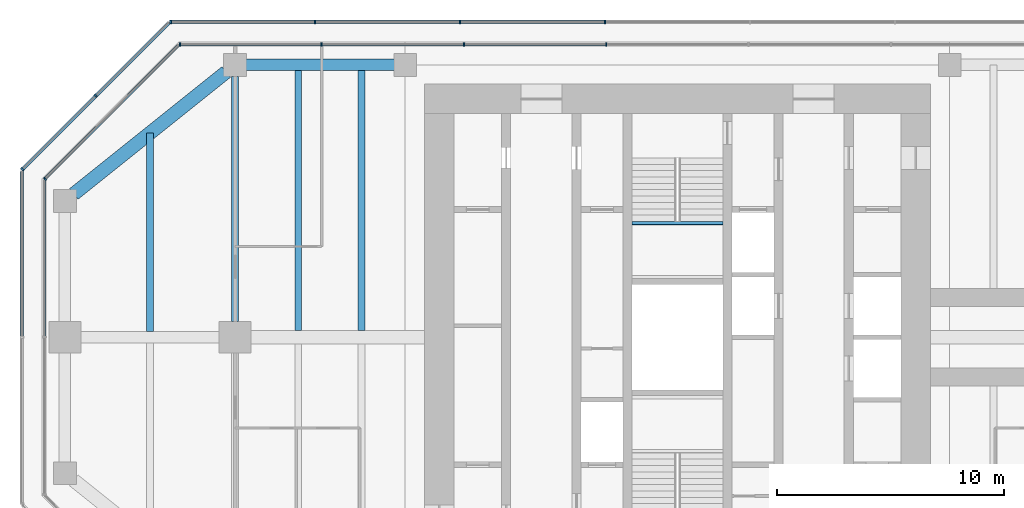
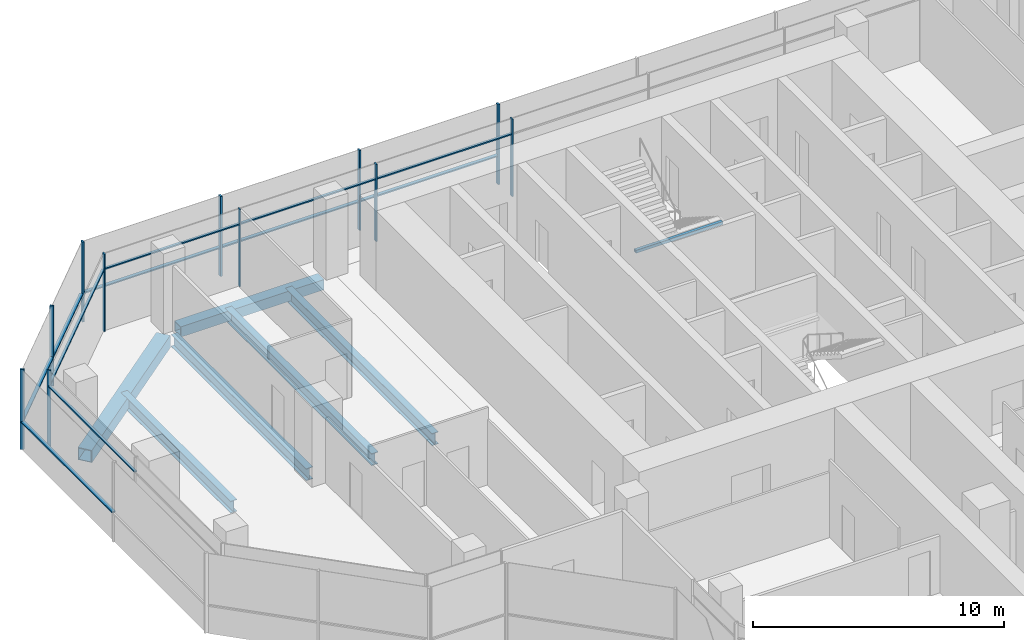
# One storey, part 6 of 16: 22 members, 7 beams, 6 elements without a shape of their own.
"""IFC4 building model written with IfcOpenShell, lengths in metres."""

import ifcopenshell
import ifcopenshell.guid

model = None  # the IFC model being written
_history = None  # IfcOwnerHistory: only IFC2X3 demands one
_inside = {}  # id of a spatial element -> (the spatial element, [elements in it])
_under = {}  # id of a project, library or spatial element -> (it, [spatial elements below it])
_declared = {}  # id of a project -> (the project, [libraries it declares])
_typed = {}  # id of a type object -> (the type object, [elements of that type])
_made_of = {}  # id of a material, layer set ... -> (it, [elements and type objects made of it])


def new_model(schema):
    """Start an empty IFC model of exactly this schema.

    Asked for "IFC4X3", IfcOpenShell would pick the latest addendum, in which some entities
    have other attributes; the version numbers below select the first issue.
    IFC2X3 requires an IfcOwnerHistory on every rooted entity: one is made here for all.
    """
    global model, _history
    if schema == "IFC4X3":
        model = ifcopenshell.file(schema_version=(4, 3, 0, 0))
    else:
        model = ifcopenshell.file(schema=schema)
    _inside.clear()
    _under.clear()
    _declared.clear()
    _typed.clear()
    _made_of.clear()
    _history = None
    if model.schema == "IFC2X3":
        org = make("IfcOrganization", Name="unknown")
        user = make(
            "IfcPersonAndOrganization",
            ThePerson=make("IfcPerson", FamilyName="unknown"),
            TheOrganization=org,
        )
        app = make(
            "IfcApplication",
            ApplicationDeveloper=org,
            Version="unknown",
            ApplicationFullName="unknown",
            ApplicationIdentifier="unknown",
        )
        _history = make(
            "IfcOwnerHistory",
            OwningUser=user,
            OwningApplication=app,
            ChangeAction="ADDED",
            CreationDate=0,
        )
    return model


def make(cls, **values):
    """One entity of the class cls with the attributes given. An attribute that is None is left unset."""
    return model.create_entity(
        cls, **{name: value for name, value in values.items() if value is not None}
    )


def rooted(cls, **values):
    """An entity with a GlobalId (a new one), such as an element, a storey or a relation."""
    return make(cls, GlobalId=ifcopenshell.guid.new(), OwnerHistory=_history, **values)


def si_unit(unit_type, name, prefix=None):
    """IfcSIUnit, for example si_unit("LENGTHUNIT", "METRE", prefix="MILLI")."""
    return make("IfcSIUnit", UnitType=unit_type, Prefix=prefix, Name=name)


def assignment(units):
    """IfcUnitAssignment: the units of a project."""
    return None if units is None else make("IfcUnitAssignment", Units=units)


def point(xyz):
    """IfcCartesianPoint."""
    return None if xyz is None else make("IfcCartesianPoint", Coordinates=xyz)


def direction(xyz):
    """IfcDirection."""
    return None if xyz is None else make("IfcDirection", DirectionRatios=xyz)


def frame(location, z_axis=None, x_axis=None):
    """IfcAxis2Placement3D, a coordinate frame: its origin and axes. An axis left out is left unset."""
    return make(
        "IfcAxis2Placement3D",
        Location=point(location),
        Axis=direction(z_axis),
        RefDirection=direction(x_axis),
    )


def frame_2d(location, x_axis=None):
    """IfcAxis2Placement2D, a coordinate frame in the plane: its origin and x axis."""
    return make(
        "IfcAxis2Placement2D", Location=point(location), RefDirection=direction(x_axis)
    )


def origin():
    """The frame at (0, 0, 0) with its axes left unset."""
    return frame((0.0, 0.0, 0.0))


def origin_2d():
    """The frame at (0, 0) in the plane with its x axis left unset."""
    return frame_2d((0.0, 0.0))


def place(relative_to, where):
    """IfcLocalPlacement: puts the frame where relative to a parent placement (None: the world)."""
    return make(
        "IfcLocalPlacement", PlacementRelTo=relative_to, RelativePlacement=where
    )


def context(
    kind, dimensions, precision=None, world=None, true_north=None, identifier=None
):
    """IfcGeometricRepresentationContext, for example the 3D "Model" context."""
    return make(
        "IfcGeometricRepresentationContext",
        ContextIdentifier=identifier,
        ContextType=kind,
        CoordinateSpaceDimension=dimensions,
        Precision=precision,
        WorldCoordinateSystem=world,
        TrueNorth=true_north,
    )


def subcontext(parent, identifier, kind, view, scale=None):
    """IfcGeometricRepresentationSubContext, for example "Body" below "Model"."""
    return make(
        "IfcGeometricRepresentationSubContext",
        ContextIdentifier=identifier,
        ContextType=kind,
        ParentContext=parent,
        TargetScale=scale,
        TargetView=view,
    )


def project(units=None, contexts=None):
    """IfcProject with its units and contexts."""
    return rooted(
        "IfcProject",
        Name="project",
        RepresentationContexts=contexts,
        UnitsInContext=assignment(units),
    )


def spatial(cls, under=None, at=None, **own):
    """A site, building, storey or space (cls), placed at a placement, below another one or the project."""
    s = rooted(cls, ObjectPlacement=at, **own)
    if under is not None:
        _under.setdefault(under.id(), (under, []))[1].append(s)
    return s


def profile(cls, at=None, kind="AREA", **sizes):
    """A parametric profile (cls). Its sizes go by their IFC names, for example OverallWidth=200.0."""
    return make(cls, ProfileType=kind, Position=at, **sizes)


def rectangle(**sizes):
    """IfcRectangleProfileDef."""
    return profile("IfcRectangleProfileDef", **sizes)


def hollow_rectangle(**sizes):
    """IfcRectangleHollowProfileDef."""
    return profile("IfcRectangleHollowProfileDef", **sizes)


def i_section(**sizes):
    """IfcIShapeProfileDef."""
    return profile("IfcIShapeProfileDef", **sizes)


def extrude(swept, where, along, depth):
    """IfcExtrudedAreaSolid: the profile swept, set in the frame where, extruded along a direction by depth."""
    return make(
        "IfcExtrudedAreaSolid",
        SweptArea=swept,
        Position=where,
        ExtrudedDirection=direction(along),
        Depth=depth,
    )


def shape(context_of_items, identifier, shape_type, items):
    """IfcShapeRepresentation: the items that make up one representation, for example the "Body"."""
    return make(
        "IfcShapeRepresentation",
        ContextOfItems=context_of_items,
        RepresentationIdentifier=identifier,
        RepresentationType=shape_type,
        Items=items,
    )


def material(Name=None, Category=None):
    """IfcMaterial."""
    return make("IfcMaterial", Name=Name, Category=Category)


def material_profile(
    of_material, cross_section, Name=None, Category=None, Priority=None
):
    """IfcMaterialProfile: a cross section and its material."""
    return make(
        "IfcMaterialProfile",
        Name=Name,
        Material=of_material,
        Profile=cross_section,
        Priority=Priority,
        Category=Category,
    )


def profile_set(profiles, Name=None, composite=None):
    """IfcMaterialProfileSet."""
    return make(
        "IfcMaterialProfileSet",
        Name=Name,
        MaterialProfiles=profiles,
        CompositeProfile=composite,
    )


def made_of(thing, what):
    """Note that an element or type object is made of a material, layer set ...; save() writes the relation."""
    if what is not None:
        _made_of.setdefault(what.id(), (what, []))[1].append(thing)
    return thing


def type_object(cls, material=None, **own):
    """A type object (cls), such as IfcWallType, which elements share."""
    return made_of(rooted(cls, **own), material)


def element(
    cls,
    number,
    at=None,
    inside=None,
    cuts=None,
    type_object=None,
    material=None,
    context=None,
    identifier="Body",
    shape_type=None,
    held_by="IfcProductDefinitionShape",
    body=None,
    shapes=None,
    **own,
):
    """One element of the class cls, such as IfcWall. Its Tag is "e" and its number.

    at: its placement. inside: the storey or other place that contains it. cuts: it is an
    opening in that element (IfcRelVoidsElement). A single representation is given by context,
    identifier, shape_type and body (its items); several are given by shapes. held_by: the class
    of the entity that holds the representations. save() writes the other relations.
    """
    e = rooted(cls, Tag="e%d" % number, ObjectPlacement=at, **own)
    if body is not None:
        shapes = [shape(context, identifier, shape_type, body)]
    if shapes is not None:
        e.Representation = make(held_by, Representations=shapes)
    if inside is not None:
        _inside.setdefault(inside.id(), (inside, []))[1].append(e)
    if cuts is not None:
        rooted(
            "IfcRelVoidsElement", RelatingBuildingElement=cuts, RelatedOpeningElement=e
        )
    if type_object is not None:
        _typed.setdefault(type_object.id(), (type_object, []))[1].append(e)
    return made_of(e, material)


def aggregate(whole, parts):
    """IfcRelAggregates: a whole, such as a stair, and the parts it consists of."""
    return rooted("IfcRelAggregates", RelatingObject=whole, RelatedObjects=parts)


def save(model, path):
    """Write the relations noted so far, then the file.

    IfcRelAggregates (storeys below a building ...), IfcRelContainedInSpatialStructure (elements
    in a storey), IfcRelDefinesByType, IfcRelAssociatesMaterial and IfcRelDeclares: one each for
    every whole, place, type object, material and project.
    """
    for whole, parts in _under.values():
        aggregate(whole, parts)
    for where, things in _inside.values():
        rooted(
            "IfcRelContainedInSpatialStructure",
            RelatedElements=things,
            RelatingStructure=where,
        )
    for kind, things in _typed.values():
        rooted("IfcRelDefinesByType", RelatedObjects=things, RelatingType=kind)
    for what, things in _made_of.values():
        rooted("IfcRelAssociatesMaterial", RelatedObjects=things, RelatingMaterial=what)
    for by, libraries in _declared.values():
        rooted("IfcRelDeclares", RelatingContext=by, RelatedDefinitions=libraries)
    model.write(path)


model = new_model("IFC4")

# Units and contexts
model_context = context("Model", 3, precision=1e-05, world=origin(), true_north=direction((0.0, 1.0)))
body_context = subcontext(model_context, "Body", "Model", "MODEL_VIEW")
ifc_project = project(units=[si_unit("LENGTHUNIT", "METRE"), si_unit("AREAUNIT", "SQUARE_METRE"), si_unit("VOLUMEUNIT", "CUBIC_METRE"), si_unit("PLANEANGLEUNIT", "RADIAN"), si_unit("MASSUNIT", "GRAM", prefix="KILO")], contexts=[model_context])

# Site, building, storey
site_placement = place(None, origin())
site = spatial("IfcSite", under=ifc_project, at=site_placement, CompositionType="ELEMENT")
building_placement = place(site_placement, origin())
building = spatial("IfcBuilding", under=site, at=building_placement, Name="Mizan Broadcast Tower", CompositionType="ELEMENT")
storey_placement = place(building_placement, frame((0.0, 0.0, 294.60009765625)))
storey = spatial("IfcBuildingStorey", under=building, at=storey_placement, Name="L70", CompositionType="ELEMENT", Elevation=294.60009765625)

# Beams
ifc_material_1 = material(Name="Steel S355", Category="steel")
ifc_material_profile_1 = material_profile(ifc_material_1, hollow_rectangle(XDim=0.5, YDim=0.5, WallThickness=0.030029296875, at=origin_2d()), Name="BOX 500x500x30")
ifc_profile_set_1 = profile_set([ifc_material_profile_1], Name="Steel S355")
beam_type_1 = type_object("IfcBeamType", Name="EDGE BEAM BOX 500x500x30", PredefinedType="SPANDREL", material=ifc_profile_set_1)
beam_1_placement = place(storey_placement, frame((-12.449951171875, 12.0, -0.380126953125), z_axis=(-1.0, 0.0, 0.0), x_axis=(0.0, -1.0, 0.0)))
element("IfcBeam", 1, at=beam_1_placement, inside=storey, type_object=beam_type_1, Name="Edge beam BOX 500x500x30 L70 west arm", PredefinedType="SPANDREL", context=body_context, shape_type="SweptSolid", body=[
    extrude(hollow_rectangle(XDim=0.5, YDim=0.5, WallThickness=0.030029296875, at=origin_2d()), origin(), (0.0, 0.0, 1.0), 6.60009765625),
])
ifc_material_2 = material(Name="Steel S355", Category="steel")
ifc_material_profile_2 = material_profile(ifc_material_2, hollow_rectangle(XDim=0.60009765625, YDim=0.60009765625, WallThickness=0.030029296875, at=origin_2d()), Name="BOX 600x600x30")
ifc_profile_set_2 = profile_set([ifc_material_profile_2], Name="Steel S355")
beam_type_2 = type_object("IfcBeamType", Name="EDGE BEAM BOX 600x600x30", PredefinedType="SPANDREL", material=ifc_profile_set_2)
beam_2_placement = place(storey_placement, frame((-19.890380859375, 11.687744140625, -0.43017578125), z_axis=(-0.780863273348, -0.62470196761, 0.0), x_axis=(0.62470196761, -0.780863273348, 0.0)))
element("IfcBeam", 2, at=beam_2_placement, inside=storey, type_object=beam_type_2, Name="Edge beam BOX 600x600x30 L70 west arm", PredefinedType="SPANDREL", context=body_context, shape_type="SweptSolid", body=[
    extrude(hollow_rectangle(XDim=0.60009765625, YDim=0.60009765625, WallThickness=0.030029296875, at=origin_2d()), origin(), (0.0, 0.0, 1.0), 8.60498046875),
])
ifc_material_3 = material(Name="Steel S355", Category="steel")
ifc_material_profile_3 = material_profile(ifc_material_3, i_section(OverallWidth=0.300048828125, OverallDepth=0.590087890625, WebThickness=0.012939453125, FlangeThickness=0.02490234375, FilletRadius=0.027099609375, at=origin_2d()), Name="HEA 600")
ifc_profile_set_3 = profile_set([ifc_material_profile_3], Name="Steel S355")
beam_type_3 = type_object("IfcBeamType", Name="GIRDER HEA 600", PredefinedType="BEAM", material=ifc_profile_set_3)
beam_3_placement = place(storey_placement, frame((-19.5, 11.5, -0.425048828125), z_axis=(0.0, -1.0, 0.0), x_axis=(1.0, 0.0, 0.0)))
element("IfcBeam", 3, at=beam_3_placement, inside=storey, type_object=beam_type_3, Name="Girder HEA 600 L70 west arm", PredefinedType="BEAM", context=body_context, shape_type="SweptSolid", body=[
    extrude(i_section(OverallWidth=0.300048828125, OverallDepth=0.590087890625, WebThickness=0.012939453125, FlangeThickness=0.02490234375, FilletRadius=0.027099609375, at=origin_2d()), origin(), (0.0, 0.0, 1.0), 10.800048828125),
])

# Curtain wall, members
ifc_material_4 = material(Name="Aluminium framed glazing", Category="aluminium")
curtain_wall_type_1 = type_object("IfcCurtainWallType", Name="INNER SKIN TOP ZONE", PredefinedType="USERDEFINED", material=ifc_material_4)
curtain_wall_1_placement = place(storey_placement, origin())
curtain_wall_1 = element("IfcCurtainWall", 4, at=curtain_wall_1_placement, inside=storey, type_object=curtain_wall_type_1, Name="Inner skin top zone L70 N end", ObjectType="INNER SKIN TOP ZONE", PredefinedType="USERDEFINED")
ifc_material_5 = material(Name="Aluminium, pale anodised", Category="aluminium")
ifc_material_profile_4 = material_profile(ifc_material_5, rectangle(XDim=0.159912109375, YDim=0.06005859375, at=origin_2d()), Name="MULLION 160x60")
ifc_profile_set_4 = profile_set([ifc_material_profile_4], Name="Aluminium, pale anodised")
member_type_1 = type_object("IfcMemberType", Name="INNER SKIN MULLION 60x160", PredefinedType="MULLION", material=ifc_profile_set_4)
member_1_placement = place(storey_placement, frame((-3.136962890625, 12.89990234375, 0.0), z_axis=(0.0, 0.0, 1.0), x_axis=(0.0, -1.0, 0.0)))
member_1 = element("IfcMember", 5, at=member_1_placement, type_object=member_type_1, Name="Inner skin top zone L70 N end mullion 5", PredefinedType="MULLION", context=body_context, shape_type="SweptSolid", body=[
    extrude(rectangle(XDim=0.159912109375, YDim=0.06005859375, at=origin_2d()), origin(), (0.0, 0.0, 1.0), 3.77001953125),
])
member_2_placement = place(storey_placement, frame((-9.410888671875, 12.89990234375, 0.0), z_axis=(0.0, 0.0, 1.0), x_axis=(0.0, -1.0, 0.0)))
member_2 = element("IfcMember", 6, at=member_2_placement, type_object=member_type_1, Name="Inner skin top zone L70 N end mullion 6", PredefinedType="MULLION", context=body_context, shape_type="SweptSolid", body=[
    extrude(rectangle(XDim=0.159912109375, YDim=0.06005859375, at=origin_2d()), origin(), (0.0, 0.0, 1.0), 3.77001953125),
])
member_3_placement = place(storey_placement, frame((-15.684814453125, 12.89990234375, 0.0), z_axis=(0.0, 0.0, 1.0), x_axis=(0.0, -1.0, 0.0)))
member_3 = element("IfcMember", 7, at=member_3_placement, type_object=member_type_1, Name="Inner skin top zone L70 N end mullion 7", PredefinedType="MULLION", context=body_context, shape_type="SweptSolid", body=[
    extrude(rectangle(XDim=0.159912109375, YDim=0.06005859375, at=origin_2d()), origin(), (0.0, 0.0, 1.0), 3.77001953125),
])
member_4_placement = place(storey_placement, frame((-21.928466796875, 12.89990234375, 0.0), z_axis=(0.0, 0.0, 1.0), x_axis=(0.0, -1.0, 0.0)))
member_4 = element("IfcMember", 8, at=member_4_placement, type_object=member_type_1, Name="Inner skin top zone L70 N end mullion 8", PredefinedType="MULLION", context=body_context, shape_type="SweptSolid", body=[
    extrude(rectangle(XDim=0.159912109375, YDim=0.06005859375, at=origin_2d()), origin(), (0.0, 0.0, 1.0), 3.77001953125),
])

# Curtain wall, member
curtain_wall_2_placement = place(storey_placement, origin())
curtain_wall_2 = element("IfcCurtainWall", 9, at=curtain_wall_2_placement, inside=storey, type_object=curtain_wall_type_1, Name="Inner skin top zone L70 W chamfer", ObjectType="INNER SKIN TOP ZONE", PredefinedType="USERDEFINED")
member_5_placement = place(storey_placement, frame((-27.87890625, 6.979736328125, 0.0), z_axis=(0.0, 0.0, 1.0), x_axis=(0.707106781187, -0.707106781187, 0.0)))
member_5 = element("IfcMember", 10, at=member_5_placement, type_object=member_type_1, Name="Inner skin top zone L70 W chamfer mullion 2", PredefinedType="MULLION", context=body_context, shape_type="SweptSolid", body=[
    extrude(rectangle(XDim=0.159912109375, YDim=0.06005859375, at=origin_2d()), origin(), (0.0, 0.0, 1.0), 3.77001953125),
])

# Member
ifc_material_6 = material(Name="Aluminium, pale anodised", Category="aluminium")
ifc_material_profile_5 = material_profile(ifc_material_6, rectangle(XDim=0.1201171875, YDim=0.06005859375, at=origin_2d()), Name="TRANSOM 120x60")
ifc_profile_set_5 = profile_set([ifc_material_profile_5], Name="Aluminium, pale anodised")
member_type_2 = type_object("IfcMemberType", Name="INNER SKIN TRANSOM 60x120", PredefinedType="USERDEFINED", material=ifc_profile_set_5)
member_6_placement = place(storey_placement, frame((-3.1669921875, 12.89990234375, 3.02978515625), z_axis=(-1.0, 0.0, 0.0), x_axis=(0.0, -1.0, 0.0)))
member_6 = element("IfcMember", 11, at=member_6_placement, type_object=member_type_2, Name="Inner skin top zone L70 N end transom 5.1", ObjectType="TRANSOM", PredefinedType="USERDEFINED", context=body_context, shape_type="SweptSolid", body=[
    extrude(rectangle(XDim=0.1201171875, YDim=0.06005859375, at=origin_2d()), origin(), (0.0, 0.0, 1.0), 6.2138671875),
])

member_7_placement = place(storey_placement, frame((-9.44091796875, 12.89990234375, 3.02978515625), z_axis=(-1.0, 0.0, 0.0), x_axis=(0.0, -1.0, 0.0)))
member_7 = element("IfcMember", 12, at=member_7_placement, type_object=member_type_2, Name="Inner skin top zone L70 N end transom 6.1", ObjectType="TRANSOM", PredefinedType="USERDEFINED", context=body_context, shape_type="SweptSolid", body=[
    extrude(rectangle(XDim=0.1201171875, YDim=0.06005859375, at=origin_2d()), origin(), (0.0, 0.0, 1.0), 6.2138671875),
])

member_8_placement = place(storey_placement, frame((-15.714599609375, 12.89990234375, 3.02978515625), z_axis=(-1.0, 0.0, 0.0), x_axis=(0.0, -1.0, 0.0)))
member_8 = element("IfcMember", 13, at=member_8_placement, type_object=member_type_2, Name="Inner skin top zone L70 N end transom 7.1", ObjectType="TRANSOM", PredefinedType="USERDEFINED", context=body_context, shape_type="SweptSolid", body=[
    extrude(rectangle(XDim=0.1201171875, YDim=0.06005859375, at=origin_2d()), origin(), (0.0, 0.0, 1.0), 6.18408203125),
])

aggregate(curtain_wall_1, [member_1, member_2, member_3, member_4, member_6, member_7, member_8])

member_9_placement = place(storey_placement, frame((-22.0009765625, 12.857666015625, 3.02978515625), z_axis=(-0.707106781187, -0.707106781187, 0.0), x_axis=(0.707106781187, -0.707106781187, 0.0)))
member_9 = element("IfcMember", 14, at=member_9_placement, type_object=member_type_2, Name="Inner skin top zone L70 W chamfer transom 1.1", ObjectType="TRANSOM", PredefinedType="USERDEFINED", context=body_context, shape_type="SweptSolid", body=[
    extrude(rectangle(XDim=0.1201171875, YDim=0.06005859375, at=origin_2d()), origin(), (0.0, 0.0, 1.0), 8.28271484375),
])

aggregate(curtain_wall_2, [member_5, member_9])

# Curtain wall, member
curtain_wall_3_placement = place(storey_placement, origin())
curtain_wall_3 = element("IfcCurtainWall", 15, at=curtain_wall_3_placement, inside=storey, type_object=curtain_wall_type_1, Name="Inner skin top zone L70 W end", ObjectType="INNER SKIN TOP ZONE", PredefinedType="USERDEFINED")
member_10_placement = place(storey_placement, frame((-27.89990234375, 6.898681640625, 3.02978515625), z_axis=(0.0, -1.0, 0.0), x_axis=(1.0, 0.0, 0.0)))
member_10 = element("IfcMember", 16, at=member_10_placement, type_object=member_type_2, Name="Inner skin top zone L70 W end transom 1.1", ObjectType="TRANSOM", PredefinedType="USERDEFINED", context=body_context, shape_type="SweptSolid", body=[
    extrude(rectangle(XDim=0.1201171875, YDim=0.06005859375, at=origin_2d()), origin(), (0.0, 0.0, 1.0), 6.86865234375),
])
aggregate(curtain_wall_3, [member_10])

# Beam
ifc_material_7 = material(Name="Steel S355", Category="steel")
ifc_material_profile_6 = material_profile(ifc_material_7, hollow_rectangle(XDim=0.14990234375, YDim=0.14990234375, WallThickness=0.008056640625, InnerFilletRadius=0.008056640625, OuterFilletRadius=0.011962890625, at=origin_2d()), Name="SHS 150x150x8")
ifc_profile_set_6 = profile_set([ifc_material_profile_6], Name="Steel S355")
beam_type_4 = type_object("IfcBeamType", Name="LANDING TRIMMER SHS 150x150x8", PredefinedType="BEAM", material=ifc_profile_set_6)
beam_4_placement = place(storey_placement, frame((2.0, 5.02490234375, 1.6748046875), z_axis=(-1.0, 0.0, 0.0), x_axis=(0.0, -1.0, 0.0)))
element("IfcBeam", 17, at=beam_4_placement, inside=storey, type_object=beam_type_4, Name="Stair B landing trimmer L70", PredefinedType="BEAM", context=body_context, shape_type="SweptSolid", body=[
    extrude(hollow_rectangle(XDim=0.14990234375, YDim=0.14990234375, WallThickness=0.008056640625, InnerFilletRadius=0.008056640625, OuterFilletRadius=0.011962890625, at=origin_2d()), origin(), (0.0, 0.0, 1.0), 4.0),
])

# Curtain wall, members
ifc_material_8 = material(Name="Aluminium framed glazing", Category="aluminium")
curtain_wall_type_2 = type_object("IfcCurtainWallType", Name="OUTER SKIN", PredefinedType="USERDEFINED", material=ifc_material_8)
curtain_wall_4_placement = place(storey_placement, origin())
curtain_wall_4 = element("IfcCurtainWall", 18, at=curtain_wall_4_placement, inside=storey, type_object=curtain_wall_type_2, Name="Outer skin L70 N end", ObjectType="OUTER SKIN", PredefinedType="USERDEFINED")
ifc_material_9 = material(Name="Aluminium, pale anodised", Category="aluminium")
ifc_material_profile_7 = material_profile(ifc_material_9, rectangle(XDim=0.159912109375, YDim=0.080078125, at=origin_2d()), Name="MULLION 160x80")
ifc_profile_set_7 = profile_set([ifc_material_profile_7], Name="Aluminium, pale anodised")
member_type_3 = type_object("IfcMemberType", Name="OUTER SKIN MULLION 80x160", PredefinedType="MULLION", material=ifc_profile_set_7)
member_11_placement = place(storey_placement, frame((-3.196044921875, 13.89990234375, 0.0), z_axis=(0.0, 0.0, 1.0), x_axis=(0.0, -1.0, 0.0)))
member_11 = element("IfcMember", 19, at=member_11_placement, type_object=member_type_3, Name="Outer skin L70 N end mullion 5", PredefinedType="MULLION", context=body_context, shape_type="SweptSolid", body=[
    extrude(rectangle(XDim=0.159912109375, YDim=0.080078125, at=origin_2d()), origin(), (0.0, 0.0, 1.0), 3.89990234375),
])
member_12_placement = place(storey_placement, frame((-9.58837890625, 13.89990234375, 0.0), z_axis=(0.0, 0.0, 1.0), x_axis=(0.0, -1.0, 0.0)))
member_12 = element("IfcMember", 20, at=member_12_placement, type_object=member_type_3, Name="Outer skin L70 N end mullion 6", PredefinedType="MULLION", context=body_context, shape_type="SweptSolid", body=[
    extrude(rectangle(XDim=0.159912109375, YDim=0.080078125, at=origin_2d()), origin(), (0.0, 0.0, 1.0), 3.89990234375),
])
member_13_placement = place(storey_placement, frame((-15.98046875, 13.89990234375, 0.0), z_axis=(0.0, 0.0, 1.0), x_axis=(0.0, -1.0, 0.0)))
member_13 = element("IfcMember", 21, at=member_13_placement, type_object=member_type_3, Name="Outer skin L70 N end mullion 7", PredefinedType="MULLION", context=body_context, shape_type="SweptSolid", body=[
    extrude(rectangle(XDim=0.159912109375, YDim=0.080078125, at=origin_2d()), origin(), (0.0, 0.0, 1.0), 3.89990234375),
])
member_14_placement = place(storey_placement, frame((-22.332763671875, 13.89990234375, 0.0), z_axis=(0.0, 0.0, 1.0), x_axis=(0.0, -1.0, 0.0)))
member_14 = element("IfcMember", 22, at=member_14_placement, type_object=member_type_3, Name="Outer skin L70 N end mullion 8", PredefinedType="MULLION", context=body_context, shape_type="SweptSolid", body=[
    extrude(rectangle(XDim=0.159912109375, YDim=0.080078125, at=origin_2d()), origin(), (0.0, 0.0, 1.0), 3.89990234375),
])

curtain_wall_5_placement = place(storey_placement, origin())
curtain_wall_5 = element("IfcCurtainWall", 23, at=curtain_wall_5_placement, inside=storey, type_object=curtain_wall_type_2, Name="Outer skin L70 W chamfer", ObjectType="OUTER SKIN", PredefinedType="USERDEFINED")
member_15_placement = place(storey_placement, frame((-25.636474609375, 10.636474609375, 0.0), z_axis=(0.0, 0.0, 1.0), x_axis=(0.707106781187, -0.707106781187, 0.0)))
member_15 = element("IfcMember", 24, at=member_15_placement, type_object=member_type_3, Name="Outer skin L70 W chamfer mullion 2", PredefinedType="MULLION", context=body_context, shape_type="SweptSolid", body=[
    extrude(rectangle(XDim=0.159912109375, YDim=0.080078125, at=origin_2d()), origin(), (0.0, 0.0, 1.0), 3.89990234375),
])
member_16_placement = place(storey_placement, frame((-28.871826171875, 7.401123046875, 0.0), z_axis=(0.0, 0.0, 1.0), x_axis=(0.707106781187, -0.707106781187, 0.0)))
member_16 = element("IfcMember", 25, at=member_16_placement, type_object=member_type_3, Name="Outer skin L70 W chamfer mullion 3", PredefinedType="MULLION", context=body_context, shape_type="SweptSolid", body=[
    extrude(rectangle(XDim=0.159912109375, YDim=0.080078125, at=origin_2d()), origin(), (0.0, 0.0, 1.0), 3.89990234375),
])

# Member
ifc_material_10 = material(Name="Aluminium, pale anodised", Category="aluminium")
ifc_material_profile_8 = material_profile(ifc_material_10, rectangle(XDim=0.159912109375, YDim=0.06005859375, at=origin_2d()), Name="TRANSOM 160x60")
ifc_profile_set_8 = profile_set([ifc_material_profile_8], Name="Aluminium, pale anodised")
member_type_4 = type_object("IfcMemberType", Name="OUTER SKIN TRANSOM 60x160", PredefinedType="USERDEFINED", material=ifc_profile_set_8)
member_17_placement = place(storey_placement, frame((-3.236083984375, 13.89990234375, 1.39990234375), z_axis=(-1.0, 0.0, 0.0), x_axis=(0.0, -1.0, 0.0)))
member_17 = element("IfcMember", 26, at=member_17_placement, type_object=member_type_4, Name="Outer skin L70 N end transom 5.1", ObjectType="TRANSOM", PredefinedType="USERDEFINED", context=body_context, shape_type="SweptSolid", body=[
    extrude(rectangle(XDim=0.159912109375, YDim=0.06005859375, at=origin_2d()), origin(), (0.0, 0.0, 1.0), 6.312255859375),
])

member_18_placement = place(storey_placement, frame((-9.62841796875, 13.89990234375, 1.39990234375), z_axis=(-1.0, 0.0, 0.0), x_axis=(0.0, -1.0, 0.0)))
member_18 = element("IfcMember", 27, at=member_18_placement, type_object=member_type_4, Name="Outer skin L70 N end transom 6.1", ObjectType="TRANSOM", PredefinedType="USERDEFINED", context=body_context, shape_type="SweptSolid", body=[
    extrude(rectangle(XDim=0.159912109375, YDim=0.06005859375, at=origin_2d()), origin(), (0.0, 0.0, 1.0), 6.312255859375),
])

member_19_placement = place(storey_placement, frame((-16.0205078125, 13.89990234375, 1.39990234375), z_axis=(-1.0, 0.0, 0.0), x_axis=(0.0, -1.0, 0.0)))
member_19 = element("IfcMember", 28, at=member_19_placement, type_object=member_type_4, Name="Outer skin L70 N end transom 7.1", ObjectType="TRANSOM", PredefinedType="USERDEFINED", context=body_context, shape_type="SweptSolid", body=[
    extrude(rectangle(XDim=0.159912109375, YDim=0.06005859375, at=origin_2d()), origin(), (0.0, 0.0, 1.0), 6.272216796875),
])

aggregate(curtain_wall_4, [member_11, member_12, member_13, member_14, member_17, member_18, member_19])

member_20_placement = place(storey_placement, frame((-22.429443359375, 13.843505859375, 1.39990234375), z_axis=(-0.707106781187, -0.707106781187, 0.0), x_axis=(0.707106781187, -0.707106781187, 0.0)))
member_20 = element("IfcMember", 29, at=member_20_placement, type_object=member_type_4, Name="Outer skin L70 W chamfer transom 1.1", ObjectType="TRANSOM", PredefinedType="USERDEFINED", context=body_context, shape_type="SweptSolid", body=[
    extrude(rectangle(XDim=0.159912109375, YDim=0.06005859375, at=origin_2d()), origin(), (0.0, 0.0, 1.0), 4.495361328125),
])

member_21_placement = place(storey_placement, frame((-25.664794921875, 10.608154296875, 1.39990234375), z_axis=(-0.707106781187, -0.707106781187, 0.0), x_axis=(0.707106781187, -0.707106781187, 0.0)))
member_21 = element("IfcMember", 30, at=member_21_placement, type_object=member_type_4, Name="Outer skin L70 W chamfer transom 2.1", ObjectType="TRANSOM", PredefinedType="USERDEFINED", context=body_context, shape_type="SweptSolid", body=[
    extrude(rectangle(XDim=0.159912109375, YDim=0.06005859375, at=origin_2d()), origin(), (0.0, 0.0, 1.0), 4.495361328125),
])

aggregate(curtain_wall_5, [member_15, member_16, member_20, member_21])

# Curtain wall, member
curtain_wall_6_placement = place(storey_placement, origin())
curtain_wall_6 = element("IfcCurtainWall", 31, at=curtain_wall_6_placement, inside=storey, type_object=curtain_wall_type_2, Name="Outer skin L70 W end", ObjectType="OUTER SKIN", PredefinedType="USERDEFINED")
member_22_placement = place(storey_placement, frame((-28.89990234375, 7.292724609375, 1.39990234375), z_axis=(0.0, -1.0, 0.0), x_axis=(1.0, 0.0, 0.0)))
member_22 = element("IfcMember", 32, at=member_22_placement, type_object=member_type_4, Name="Outer skin L70 W end transom 1.1", ObjectType="TRANSOM", PredefinedType="USERDEFINED", context=body_context, shape_type="SweptSolid", body=[
    extrude(rectangle(XDim=0.159912109375, YDim=0.06005859375, at=origin_2d()), origin(), (0.0, 0.0, 1.0), 7.252685546875),
])
aggregate(curtain_wall_6, [member_22])

# Beams
ifc_material_11 = material(Name="Steel S355", Category="steel")
ifc_material_profile_9 = material_profile(ifc_material_11, i_section(OverallWidth=0.300048828125, OverallDepth=0.590087890625, WebThickness=0.012939453125, FlangeThickness=0.02490234375, FilletRadius=0.027099609375, at=origin_2d()), Name="HEA 600")
ifc_profile_set_9 = profile_set([ifc_material_profile_9], Name="Steel S355")
beam_type_5 = type_object("IfcBeamType", Name="SECONDARY BEAM HEA 600", PredefinedType="JOIST", material=ifc_profile_set_9)
for number, where, z_axis, x_axis, name in (
    (33, (-13.933349609375, 12.0, -0.425048828125), (0.0, -1.0, 0.0), (1.0, 0.0, 0.0), "Secondary beam HEA 600 L70 west arm"),
    (34, (-16.716552734375, 12.0, -0.425048828125), (0.0, -1.0, 0.0), (1.0, 0.0, 0.0), "Secondary beam HEA 600 L70 west arm"),
):
    element("IfcBeam", number, at=place(storey_placement, frame(where, z_axis=z_axis, x_axis=x_axis)), inside=storey, type_object=beam_type_5, Name=name, PredefinedType="JOIST", context=body_context, shape_type="SweptSolid", body=[
        extrude(i_section(OverallWidth=0.300048828125, OverallDepth=0.590087890625, WebThickness=0.012939453125, FlangeThickness=0.02490234375, FilletRadius=0.027099609375, at=origin_2d()), origin(), (0.0, 0.0, 1.0), 11.699951171875),
    ])
beam_5_placement = place(storey_placement, frame((-23.25, 9.0, -0.425048828125), z_axis=(0.0, -1.0, 0.0), x_axis=(1.0, 0.0, 0.0)))
element("IfcBeam", 35, at=beam_5_placement, inside=storey, type_object=beam_type_5, Name="Secondary beam HEA 600 L70 west arm", PredefinedType="JOIST", context=body_context, shape_type="SweptSolid", body=[
    extrude(i_section(OverallWidth=0.300048828125, OverallDepth=0.590087890625, WebThickness=0.012939453125, FlangeThickness=0.02490234375, FilletRadius=0.027099609375, at=origin_2d()), origin(), (0.0, 0.0, 1.0), 8.75),
])

save(model, "model.ifc")
